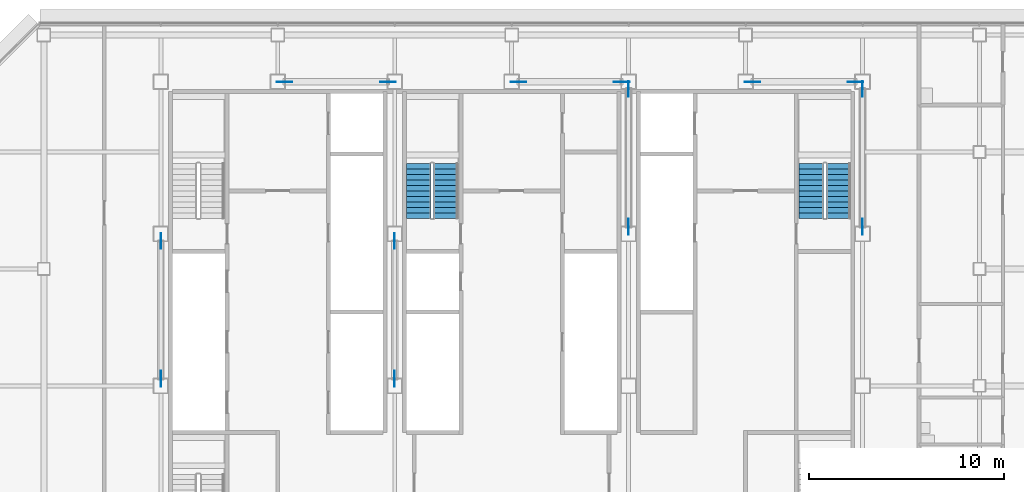
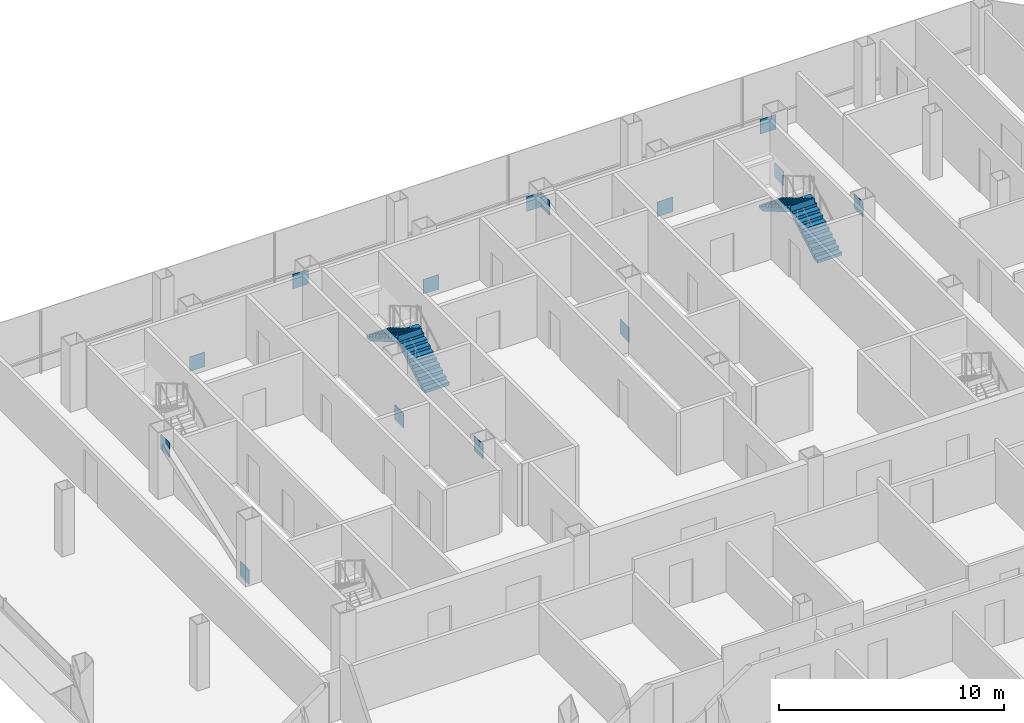
# One storey, part 24 of 26: 14 discrete accessories, 4 stair flights, 2 elements without a shape of their own.
"""IFC4 building model written with IfcOpenShell, lengths in metres."""

from ifc_helpers import new_model, si_unit, direction, frame, origin, origin_2d, place, context, subcontext, project, spatial, polyline, rectangle, outline, extrude, material, layer, layer_set, type_object, element, aggregate, save


model = new_model("IFC4")

# Units and contexts
model_context = context("Model", 3, precision=1e-05, world=origin(), true_north=direction((0.0, 1.0)))
body_context = subcontext(model_context, "Body", "Model", "MODEL_VIEW")
ifc_project = project(units=[si_unit("LENGTHUNIT", "METRE"), si_unit("AREAUNIT", "SQUARE_METRE"), si_unit("VOLUMEUNIT", "CUBIC_METRE"), si_unit("PLANEANGLEUNIT", "RADIAN"), si_unit("MASSUNIT", "GRAM", prefix="KILO")], contexts=[model_context])

# Site, building, storey
site_placement = place(None, origin())
site = spatial("IfcSite", under=ifc_project, at=site_placement, CompositionType="ELEMENT")
building_placement = place(site_placement, origin())
building = spatial("IfcBuilding", under=site, at=building_placement, Name="Sorahane Residences", CompositionType="ELEMENT")
storey_placement = place(building_placement, frame((0.0, 0.0, 158.199951171875)))
storey = spatial("IfcBuildingStorey", under=building, at=storey_placement, Name="L36", CompositionType="ELEMENT", Elevation=158.199951171875)

# Stair, stair flights
ifc_material_1 = material(Name="Concrete C40", Category="concrete")
stair_type = type_object("IfcStairType", Name="Dog-leg stair 1250 Concrete C40", PredefinedType="HALF_TURN_STAIR", material=ifc_material_1)
stair_1_placement = place(storey_placement, origin())
stair_1 = element("IfcStair", 1, at=stair_1_placement, inside=storey, type_object=stair_type, Name="L36 Stair S2", PredefinedType="HALF_TURN_STAIR")
ifc_material_2 = material(Name="Concrete C40", Category="concrete")
stair_flight_type = type_object("IfcStairFlightType", Name="Stair flight 1250 Concrete C40", PredefinedType="STRAIGHT", material=ifc_material_2)
stair_flight_1_placement = place(storey_placement, frame((40.77490234375, 38.60009765625, 0.0), z_axis=(0.0, 0.0, 1.0), x_axis=(0.0, 1.0, 0.0)))
stair_flight_1 = element("IfcStairFlight", 2, at=stair_flight_1_placement, type_object=stair_flight_type, Name="S2 flight 1", NumberOfRisers=11, NumberOfTreads=10, PredefinedType="STRAIGHT", RiserHeight=0.163636364, TreadLength=0.28, context=body_context, shape_type="SweptSolid", body=[
    extrude(outline(polyline([(-0.00146484375, 0.0), (-0.00146484375, 0.16357421875), (0.0, 0.16357421875), (0.280029296875, 0.16357421875), (0.280029296875, 0.327392578125), (0.56005859375, 0.327392578125), (0.56005859375, 0.490966796875), (0.840087890625, 0.490966796875), (0.840087890625, 0.654541015625), (1.1201171875, 0.654541015625), (1.1201171875, 0.818115234375), (1.39990234375, 0.818115234375), (1.39990234375, 0.98193359375), (1.679931640625, 0.98193359375), (1.679931640625, 1.1455078125), (1.9599609375, 1.1455078125), (1.9599609375, 1.30908203125), (2.239990234375, 1.30908203125), (2.239990234375, 1.47265625), (2.52001953125, 1.47265625), (2.52001953125, 1.636474609375), (2.800048828125, 1.636474609375), (2.800048828125, 1.800048828125), (2.800048828125, 1.462646484375), (2.59130859375, 1.3408203125), (2.3828125, 1.218994140625), (2.17431640625, 1.09716796875), (1.965576171875, 0.97509765625), (1.757080078125, 0.853271484375), (1.548583984375, 0.7314453125), (1.340087890625, 0.609375), (1.13134765625, 0.487548828125), (0.9228515625, 0.36572265625), (0.71435546875, 0.243896484375), (0.505615234375, 0.121826171875), (0.297119140625, 0.0), (-0.00146484375, 0.0)])), frame((0.0, 0.625, 0.0), z_axis=(0.0, -1.0, 0.0), x_axis=(1.0, 0.0, 0.0)), (0.0, 0.0, 1.0), 1.25),
])
stair_flight_2_placement = place(storey_placement, frame((39.375, 41.39990234375, 1.800048828125), z_axis=(0.0, 0.0, 1.0), x_axis=(0.0, -1.0, 0.0)))
stair_flight_2 = element("IfcStairFlight", 3, at=stair_flight_2_placement, type_object=stair_flight_type, Name="S2 flight 2", NumberOfRisers=11, NumberOfTreads=10, PredefinedType="STRAIGHT", RiserHeight=0.163636364, TreadLength=0.28, context=body_context, shape_type="SweptSolid", body=[
    extrude(outline(polyline([(0.0, 0.0), (0.0, 0.16357421875), (0.280029296875, 0.16357421875), (0.280029296875, 0.327392578125), (0.56005859375, 0.327392578125), (0.56005859375, 0.490966796875), (0.840087890625, 0.490966796875), (0.840087890625, 0.654541015625), (1.1201171875, 0.654541015625), (1.1201171875, 0.818115234375), (1.39990234375, 0.818115234375), (1.39990234375, 0.98193359375), (1.679931640625, 0.98193359375), (1.679931640625, 1.1455078125), (1.9599609375, 1.1455078125), (1.9599609375, 1.30908203125), (2.239990234375, 1.30908203125), (2.239990234375, 1.47265625), (2.52001953125, 1.47265625), (2.52001953125, 1.636474609375), (2.800048828125, 1.636474609375), (2.800048828125, 1.800048828125), (2.801513671875, 1.800048828125), (2.801513671875, 1.462646484375), (2.5927734375, 1.3408203125), (2.384033203125, 1.218994140625), (2.17529296875, 1.09716796875), (1.966796875, 0.97509765625), (1.758056640625, 0.853271484375), (1.54931640625, 0.7314453125), (1.340576171875, 0.609375), (1.1318359375, 0.487548828125), (0.923095703125, 0.36572265625), (0.714599609375, 0.243896484375), (0.505859375, 0.121826171875), (0.297119140625, 0.0), (0.0, 0.0)])), frame((0.0, 0.625, 0.0), z_axis=(0.0, -1.0, 0.0), x_axis=(1.0, 0.0, 0.0)), (0.0, 0.0, 1.0), 1.25),
])
aggregate(stair_1, [stair_flight_1, stair_flight_2])

stair_2_placement = place(storey_placement, origin())
stair_2 = element("IfcStair", 4, at=stair_2_placement, inside=storey, type_object=stair_type, Name="L36 Stair S3", PredefinedType="HALF_TURN_STAIR")
stair_flight_3_placement = place(storey_placement, frame((20.625, 38.60009765625, 0.0), z_axis=(0.0, 0.0, 1.0), x_axis=(0.0, 1.0, 0.0)))
stair_flight_3 = element("IfcStairFlight", 5, at=stair_flight_3_placement, type_object=stair_flight_type, Name="S3 flight 1", NumberOfRisers=11, NumberOfTreads=10, PredefinedType="STRAIGHT", RiserHeight=0.163636364, TreadLength=0.28, context=body_context, shape_type="SweptSolid", body=[
    extrude(outline(polyline([(-0.00146484375, 0.0), (-0.00146484375, 0.16357421875), (0.0, 0.16357421875), (0.280029296875, 0.16357421875), (0.280029296875, 0.327392578125), (0.56005859375, 0.327392578125), (0.56005859375, 0.490966796875), (0.840087890625, 0.490966796875), (0.840087890625, 0.654541015625), (1.1201171875, 0.654541015625), (1.1201171875, 0.818115234375), (1.39990234375, 0.818115234375), (1.39990234375, 0.98193359375), (1.679931640625, 0.98193359375), (1.679931640625, 1.1455078125), (1.9599609375, 1.1455078125), (1.9599609375, 1.30908203125), (2.239990234375, 1.30908203125), (2.239990234375, 1.47265625), (2.52001953125, 1.47265625), (2.52001953125, 1.636474609375), (2.800048828125, 1.636474609375), (2.800048828125, 1.800048828125), (2.800048828125, 1.462646484375), (2.59130859375, 1.3408203125), (2.3828125, 1.218994140625), (2.17431640625, 1.09716796875), (1.965576171875, 0.97509765625), (1.757080078125, 0.853271484375), (1.548583984375, 0.7314453125), (1.340087890625, 0.609375), (1.13134765625, 0.487548828125), (0.9228515625, 0.36572265625), (0.71435546875, 0.243896484375), (0.505615234375, 0.121826171875), (0.297119140625, 0.0), (-0.00146484375, 0.0)])), frame((0.0, 0.625, 0.0), z_axis=(0.0, -1.0, 0.0), x_axis=(1.0, 0.0, 0.0)), (0.0, 0.0, 1.0), 1.25),
])
stair_flight_4_placement = place(storey_placement, frame((19.22509765625, 41.39990234375, 1.800048828125), z_axis=(0.0, 0.0, 1.0), x_axis=(0.0, -1.0, 0.0)))
stair_flight_4 = element("IfcStairFlight", 6, at=stair_flight_4_placement, type_object=stair_flight_type, Name="S3 flight 2", NumberOfRisers=11, NumberOfTreads=10, PredefinedType="STRAIGHT", RiserHeight=0.163636364, TreadLength=0.28, context=body_context, shape_type="SweptSolid", body=[
    extrude(outline(polyline([(0.0, 0.0), (0.0, 0.16357421875), (0.280029296875, 0.16357421875), (0.280029296875, 0.327392578125), (0.56005859375, 0.327392578125), (0.56005859375, 0.490966796875), (0.840087890625, 0.490966796875), (0.840087890625, 0.654541015625), (1.1201171875, 0.654541015625), (1.1201171875, 0.818115234375), (1.39990234375, 0.818115234375), (1.39990234375, 0.98193359375), (1.679931640625, 0.98193359375), (1.679931640625, 1.1455078125), (1.9599609375, 1.1455078125), (1.9599609375, 1.30908203125), (2.239990234375, 1.30908203125), (2.239990234375, 1.47265625), (2.52001953125, 1.47265625), (2.52001953125, 1.636474609375), (2.800048828125, 1.636474609375), (2.800048828125, 1.800048828125), (2.801513671875, 1.800048828125), (2.801513671875, 1.462646484375), (2.5927734375, 1.3408203125), (2.384033203125, 1.218994140625), (2.17529296875, 1.09716796875), (1.966796875, 0.97509765625), (1.758056640625, 0.853271484375), (1.54931640625, 0.7314453125), (1.340576171875, 0.609375), (1.1318359375, 0.487548828125), (0.923095703125, 0.36572265625), (0.714599609375, 0.243896484375), (0.505859375, 0.121826171875), (0.297119140625, 0.0), (0.0, 0.0)])), frame((0.0, 0.625, 0.0), z_axis=(0.0, -1.0, 0.0), x_axis=(1.0, 0.0, 0.0)), (0.0, 0.0, 1.0), 1.25),
])
aggregate(stair_2, [stair_flight_3, stair_flight_4])

# Discrete accessories
ifc_material_3 = material(Name="Steel Q355B", Category="steel")
ifc_layer = layer(ifc_material_3, 0.02490234375)
ifc_layer_set = layer_set([ifc_layer], Name="Node plate Steel Q355B 25")
discrete_accessory_type = type_object("IfcDiscreteAccessoryType", Name="Node plate Steel Q355B 25", PredefinedType="BRACKET", material=ifc_layer_set)
for number, where, z_axis, x_axis, name in (
    (7, (6.0, 30.36376953125, -0.23828125), (0.0, 0.0, 1.0), (0.0, 1.0, 0.0), "Node plate L36 br"),
    (8, (6.0, 37.436279296875, 2.36865234375), (0.0, 0.0, 1.0), (0.0, 1.0, 0.0), "Node plate L36 br"),
    (9, (18.0, 37.436279296875, -0.23828125), (0.0, 0.0, 1.0), (0.0, 1.0, 0.0), "Node plate L36 br"),
    (10, (18.0, 30.36376953125, 2.36865234375), (0.0, 0.0, 1.0), (0.0, 1.0, 0.0), "Node plate L36 br"),
    (11, (30.0, 38.163818359375, -0.23828125), (0.0, 0.0, 1.0), (0.0, 1.0, 0.0), "Node plate L36 br"),
    (12, (30.0, 45.236328125, 2.36865234375), (0.0, 0.0, 1.0), (0.0, 1.0, 0.0), "Node plate L36 br"),
    (13, (42.0, 45.236328125, -0.23828125), (0.0, 0.0, 1.0), (0.0, 1.0, 0.0), "Node plate L36 br"),
    (14, (42.0, 38.163818359375, 2.36865234375), (0.0, 0.0, 1.0), (0.0, 1.0, 0.0), "Node plate L36 br"),
    (15, (12.353271484375, 45.60009765625, -0.248046875), (0.0, 0.0, 1.0), (1.0, 0.0, 0.0), "Node plate L36 br"),
    (16, (24.353271484375, 45.60009765625, -0.248046875), (0.0, 0.0, 1.0), (1.0, 0.0, 0.0), "Node plate L36 br"),
    (17, (36.353271484375, 45.60009765625, -0.248046875), (0.0, 0.0, 1.0), (1.0, 0.0, 0.0), "Node plate L36 br"),
    (18, (17.646728515625, 45.60009765625, 2.37841796875), (0.0, 0.0, 1.0), (1.0, 0.0, 0.0), "Node plate L36 br"),
    (19, (29.646728515625, 45.60009765625, 2.37841796875), (0.0, 0.0, 1.0), (1.0, 0.0, 0.0), "Node plate L36 br"),
    (20, (41.646728515625, 45.60009765625, 2.37841796875), (0.0, 0.0, 1.0), (1.0, 0.0, 0.0), "Node plate L36 br"),
):
    element("IfcDiscreteAccessory", number, at=place(storey_placement, frame(where, z_axis=z_axis, x_axis=x_axis)), inside=storey, type_object=discrete_accessory_type, Name=name, PredefinedType="BRACKET", context=body_context, shape_type="SweptSolid", body=[
        extrude(rectangle(XDim=0.800048828125, YDim=0.02490234375, at=origin_2d()), origin(), (0.0, 0.0, 1.0), 0.800048828125),
    ])

save(model, "model.ifc")
